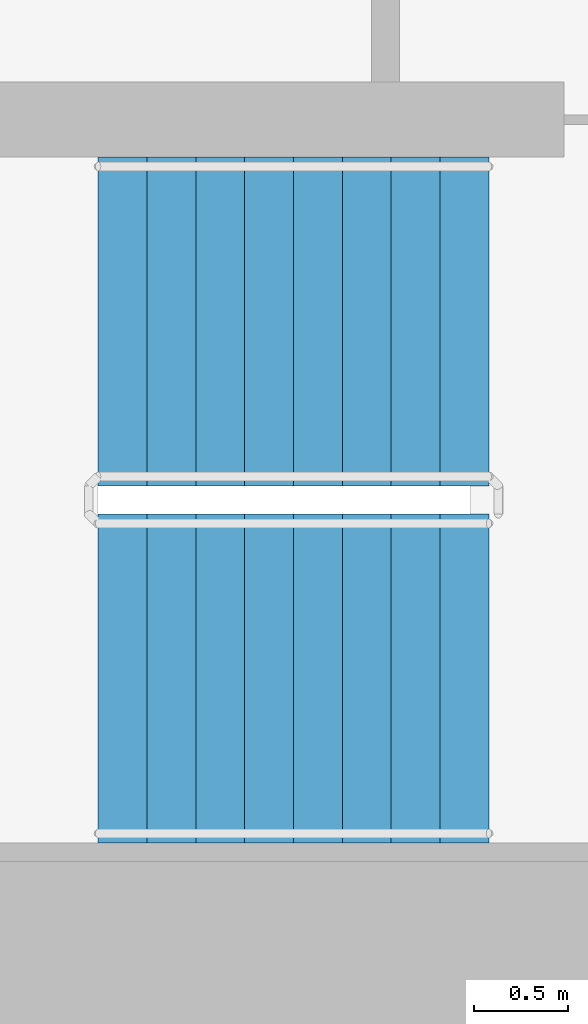
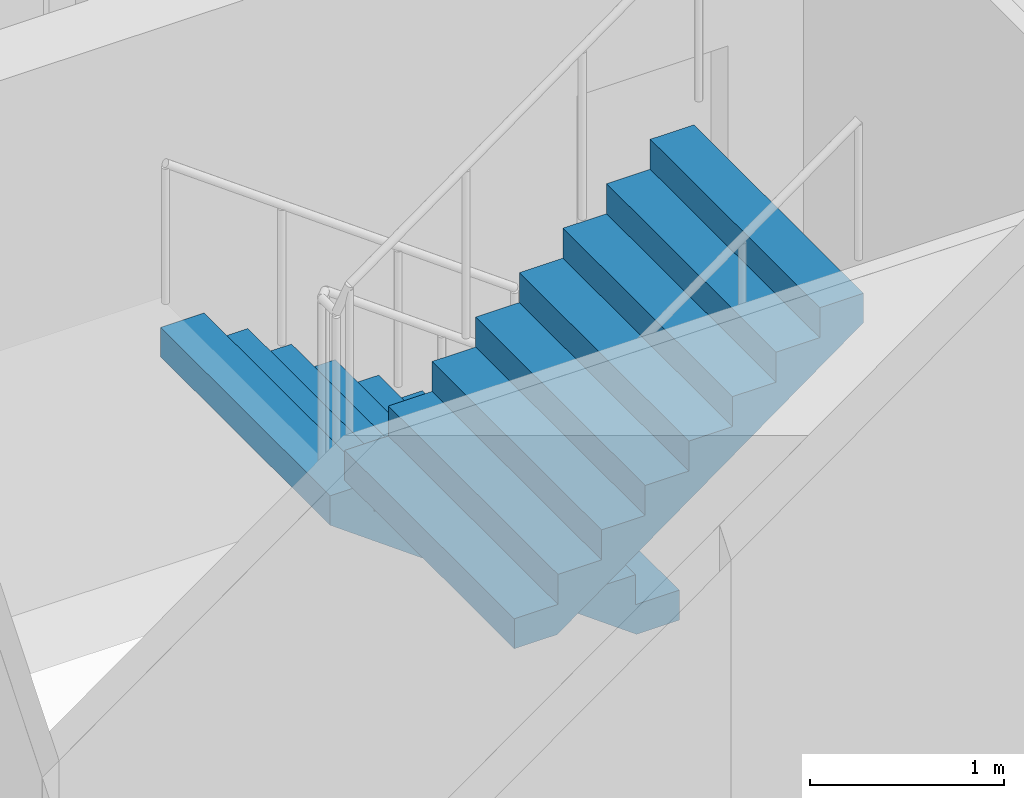
# One storey, part 32 of 40: 2 stair flights, 1 element without a shape of its own.
"""IFC4 building model written with IfcOpenShell, lengths in metres."""

from ifc_helpers import new_model, si_unit, direction, frame, origin, place, context, subcontext, project, spatial, faceted_brep, material, type_object, element, aggregate, save


model = new_model("IFC4")

# Units and contexts
model_context = context("Model", 3, precision=1e-05, world=origin(), true_north=direction((0.0, 1.0)))
body_context = subcontext(model_context, "Body", "Model", "MODEL_VIEW")
ifc_project = project(units=[si_unit("LENGTHUNIT", "METRE"), si_unit("AREAUNIT", "SQUARE_METRE"), si_unit("VOLUMEUNIT", "CUBIC_METRE"), si_unit("PLANEANGLEUNIT", "RADIAN"), si_unit("MASSUNIT", "GRAM", prefix="KILO")], contexts=[model_context])

# Site, building, storey
site_placement = place(None, origin())
site = spatial("IfcSite", under=ifc_project, at=site_placement, CompositionType="ELEMENT")
building_placement = place(site_placement, origin())
building = spatial("IfcBuilding", under=site, at=building_placement, Name="Ipe Terrace Towers", CompositionType="ELEMENT")
storey_placement = place(building_placement, frame((0.0, 0.0, 24.5)))
storey = spatial("IfcBuildingStorey", under=building, at=storey_placement, Name="L05", CompositionType="ELEMENT", Elevation=24.5)

# Stair, stair flights
ifc_material_1 = material(Name="Concrete C30/37", Category="concrete")
stair_type = type_object("IfcStairType", Name="Protected exit stair", PredefinedType="HALF_TURN_STAIR", material=ifc_material_1)
stair_placement = place(storey_placement, origin())
stair = element("IfcStair", 1, at=stair_placement, inside=storey, type_object=stair_type, Name="L05 Exit stair T1-C2", PredefinedType="HALF_TURN_STAIR")
ifc_material_2 = material(Name="Concrete C30/37", Category="concrete")
stair_flight_type = type_object("IfcStairFlightType", Name="Exit stair flight 1750", PredefinedType="STRAIGHT", material=ifc_material_2)
stair_flight_1_placement = place(storey_placement, frame((-45.699951171875, -2.77490234375, 0.0), z_axis=(0.0, 0.0, 1.0), x_axis=(-1.0, 0.0, 0.0)))
stair_flight_1 = element("IfcStairFlight", 2, at=stair_flight_1_placement, type_object=stair_flight_type, Name="T1-ST2 flight 1", NumberOfRisers=9, NumberOfTreads=8, PredefinedType="STRAIGHT", RiserHeight=0.188888889, TreadLength=0.26, context=body_context, shape_type="Brep", body=[
    faceted_brep([(0.255126953125, -0.875, 0.0), (2.080078125, -0.875, 1.325927734375), (2.080078125, -0.875, 1.51123046875), (1.820068359375, -0.875, 1.51123046875), (1.820068359375, -0.875, 1.322265625), (1.56005859375, -0.875, 1.322265625), (1.56005859375, -0.875, 1.13330078125), (1.300048828125, -0.875, 1.13330078125), (1.300048828125, -0.875, 0.9443359375), (1.0400390625, -0.875, 0.9443359375), (1.0400390625, -0.875, 0.755615234375), (0.780029296875, -0.875, 0.755615234375), (0.780029296875, -0.875, 0.566650390625), (0.52001953125, -0.875, 0.566650390625), (0.52001953125, -0.875, 0.377685546875), (0.260009765625, -0.875, 0.377685546875), (0.260009765625, -0.875, 0.18896484375), (0.0, -0.875, 0.18896484375), (0.0, -0.875, 0.0), (0.0, 0.875, 0.0), (0.0, 0.875, 0.18896484375), (0.260009765625, 0.875, 0.18896484375), (0.260009765625, 0.875, 0.377685546875), (0.52001953125, 0.875, 0.377685546875), (0.52001953125, 0.875, 0.566650390625), (0.780029296875, 0.875, 0.566650390625), (0.780029296875, 0.875, 0.755615234375), (1.0400390625, 0.875, 0.755615234375), (1.0400390625, 0.875, 0.9443359375), (1.300048828125, 0.875, 0.9443359375), (1.300048828125, 0.875, 1.13330078125), (1.56005859375, 0.875, 1.13330078125), (1.56005859375, 0.875, 1.322265625), (1.820068359375, 0.875, 1.322265625), (1.820068359375, 0.875, 1.51123046875), (2.080078125, 0.875, 1.51123046875), (2.080078125, 0.875, 1.325927734375), (0.255126953125, 0.875, 0.0), (0.0, -0.300048828125, 0.18896484375), (0.0, -0.1201171875, 0.18896484375), (0.0, -0.06005859375, 0.18896484375), (0.0, -0.030029296875, 0.18896484375), (0.0, -0.010009765625, 0.18896484375), (0.0, 0.0, 0.18896484375), (0.0, 0.010009765625, 0.18896484375), (0.0, 0.030029296875, 0.18896484375), (0.0, 0.06005859375, 0.18896484375), (0.0, 0.1201171875, 0.18896484375), (0.0, 0.300048828125, 0.18896484375), (0.0, 0.300048828125, 0.0), (0.0, 0.1201171875, 0.0), (0.0, 0.06005859375, 0.0), (0.0, 0.030029296875, 0.0), (0.0, 0.010009765625, 0.0), (0.0, 0.0, 0.0), (0.0, -0.010009765625, 0.0), (0.0, -0.030029296875, 0.0), (0.0, -0.06005859375, 0.0), (0.0, -0.1201171875, 0.0), (0.0, -0.300048828125, 0.0), (0.260009765625, -0.300048828125, 0.18896484375), (0.260009765625, -0.1201171875, 0.18896484375), (0.260009765625, -0.06005859375, 0.18896484375), (0.260009765625, -0.030029296875, 0.18896484375), (0.260009765625, -0.010009765625, 0.18896484375), (0.260009765625, 0.0, 0.18896484375), (0.260009765625, 0.010009765625, 0.18896484375), (0.260009765625, 0.030029296875, 0.18896484375), (0.260009765625, 0.06005859375, 0.18896484375), (0.260009765625, 0.1201171875, 0.18896484375), (0.260009765625, 0.300048828125, 0.18896484375), (0.260009765625, -0.300048828125, 0.377685546875), (0.260009765625, -0.1201171875, 0.377685546875), (0.260009765625, -0.06005859375, 0.377685546875), (0.260009765625, -0.030029296875, 0.377685546875), (0.260009765625, -0.010009765625, 0.377685546875), (0.260009765625, 0.0, 0.377685546875), (0.260009765625, 0.010009765625, 0.377685546875), (0.260009765625, 0.030029296875, 0.377685546875), (0.260009765625, 0.06005859375, 0.377685546875), (0.260009765625, 0.1201171875, 0.377685546875), (0.260009765625, 0.300048828125, 0.377685546875), (0.52001953125, -0.300048828125, 0.377685546875), (0.52001953125, -0.1201171875, 0.377685546875), (0.52001953125, -0.06005859375, 0.377685546875), (0.52001953125, -0.030029296875, 0.377685546875), (0.52001953125, -0.010009765625, 0.377685546875), (0.52001953125, 0.0, 0.377685546875), (0.52001953125, 0.010009765625, 0.377685546875), (0.52001953125, 0.030029296875, 0.377685546875), (0.52001953125, 0.06005859375, 0.377685546875), (0.52001953125, 0.1201171875, 0.377685546875), (0.52001953125, 0.300048828125, 0.377685546875), (0.52001953125, -0.300048828125, 0.566650390625), (0.52001953125, -0.1201171875, 0.566650390625), (0.52001953125, -0.06005859375, 0.566650390625), (0.52001953125, -0.030029296875, 0.566650390625), (0.52001953125, -0.010009765625, 0.566650390625), (0.52001953125, 0.0, 0.566650390625), (0.52001953125, 0.010009765625, 0.566650390625), (0.52001953125, 0.030029296875, 0.566650390625), (0.52001953125, 0.06005859375, 0.566650390625), (0.52001953125, 0.1201171875, 0.566650390625), (0.52001953125, 0.300048828125, 0.566650390625), (0.780029296875, -0.300048828125, 0.566650390625), (0.780029296875, -0.1201171875, 0.566650390625), (0.780029296875, -0.06005859375, 0.566650390625), (0.780029296875, -0.030029296875, 0.566650390625), (0.780029296875, -0.010009765625, 0.566650390625), (0.780029296875, 0.0, 0.566650390625), (0.780029296875, 0.010009765625, 0.566650390625), (0.780029296875, 0.030029296875, 0.566650390625), (0.780029296875, 0.06005859375, 0.566650390625), (0.780029296875, 0.1201171875, 0.566650390625), (0.780029296875, 0.300048828125, 0.566650390625), (0.780029296875, -0.300048828125, 0.755615234375), (0.780029296875, -0.1201171875, 0.755615234375), (0.780029296875, -0.06005859375, 0.755615234375), (0.780029296875, -0.030029296875, 0.755615234375), (0.780029296875, -0.010009765625, 0.755615234375), (0.780029296875, 0.0, 0.755615234375), (0.780029296875, 0.010009765625, 0.755615234375), (0.780029296875, 0.030029296875, 0.755615234375), (0.780029296875, 0.06005859375, 0.755615234375), (0.780029296875, 0.1201171875, 0.755615234375), (0.780029296875, 0.300048828125, 0.755615234375), (1.0400390625, -0.300048828125, 0.755615234375), (1.0400390625, -0.1201171875, 0.755615234375), (1.0400390625, -0.06005859375, 0.755615234375), (1.0400390625, -0.030029296875, 0.755615234375), (1.0400390625, -0.010009765625, 0.755615234375), (1.0400390625, 0.0, 0.755615234375), (1.0400390625, 0.010009765625, 0.755615234375), (1.0400390625, 0.030029296875, 0.755615234375), (1.0400390625, 0.06005859375, 0.755615234375), (1.0400390625, 0.1201171875, 0.755615234375), (1.0400390625, 0.300048828125, 0.755615234375), (1.0400390625, -0.300048828125, 0.9443359375), (1.0400390625, -0.1201171875, 0.9443359375), (1.0400390625, -0.06005859375, 0.9443359375), (1.0400390625, -0.030029296875, 0.9443359375), (1.0400390625, -0.010009765625, 0.9443359375), (1.0400390625, 0.0, 0.9443359375), (1.0400390625, 0.010009765625, 0.9443359375), (1.0400390625, 0.030029296875, 0.9443359375), (1.0400390625, 0.06005859375, 0.9443359375), (1.0400390625, 0.1201171875, 0.9443359375), (1.0400390625, 0.300048828125, 0.9443359375), (1.300048828125, -0.300048828125, 0.9443359375), (1.300048828125, -0.1201171875, 0.9443359375), (1.300048828125, -0.06005859375, 0.9443359375), (1.300048828125, -0.030029296875, 0.9443359375), (1.300048828125, -0.010009765625, 0.9443359375), (1.300048828125, 0.0, 0.9443359375), (1.300048828125, 0.010009765625, 0.9443359375), (1.300048828125, 0.030029296875, 0.9443359375), (1.300048828125, 0.06005859375, 0.9443359375), (1.300048828125, 0.1201171875, 0.9443359375), (1.300048828125, 0.300048828125, 0.9443359375), (1.300048828125, -0.300048828125, 1.13330078125), (1.300048828125, -0.1201171875, 1.13330078125), (1.300048828125, -0.06005859375, 1.13330078125), (1.300048828125, -0.030029296875, 1.13330078125), (1.300048828125, -0.010009765625, 1.13330078125), (1.300048828125, 0.0, 1.13330078125), (1.300048828125, 0.010009765625, 1.13330078125), (1.300048828125, 0.030029296875, 1.13330078125), (1.300048828125, 0.06005859375, 1.13330078125), (1.300048828125, 0.1201171875, 1.13330078125), (1.300048828125, 0.300048828125, 1.13330078125), (1.56005859375, -0.300048828125, 1.13330078125), (1.56005859375, -0.1201171875, 1.13330078125), (1.56005859375, -0.06005859375, 1.13330078125), (1.56005859375, -0.030029296875, 1.13330078125), (1.56005859375, -0.010009765625, 1.13330078125), (1.56005859375, 0.0, 1.13330078125), (1.56005859375, 0.010009765625, 1.13330078125), (1.56005859375, 0.030029296875, 1.13330078125), (1.56005859375, 0.06005859375, 1.13330078125), (1.56005859375, 0.1201171875, 1.13330078125), (1.56005859375, 0.300048828125, 1.13330078125), (1.56005859375, -0.300048828125, 1.322265625), (1.56005859375, -0.1201171875, 1.322265625), (1.56005859375, -0.06005859375, 1.322265625), (1.56005859375, -0.030029296875, 1.322265625), (1.56005859375, -0.010009765625, 1.322265625), (1.56005859375, 0.0, 1.322265625), (1.56005859375, 0.010009765625, 1.322265625), (1.56005859375, 0.030029296875, 1.322265625), (1.56005859375, 0.06005859375, 1.322265625), (1.56005859375, 0.1201171875, 1.322265625), (1.56005859375, 0.300048828125, 1.322265625), (1.820068359375, -0.300048828125, 1.322265625), (1.820068359375, -0.1201171875, 1.322265625), (1.820068359375, -0.06005859375, 1.322265625), (1.820068359375, -0.030029296875, 1.322265625), (1.820068359375, -0.010009765625, 1.322265625), (1.820068359375, 0.0, 1.322265625), (1.820068359375, 0.010009765625, 1.322265625), (1.820068359375, 0.030029296875, 1.322265625), (1.820068359375, 0.06005859375, 1.322265625), (1.820068359375, 0.1201171875, 1.322265625), (1.820068359375, 0.300048828125, 1.322265625), (1.820068359375, -0.300048828125, 1.51123046875), (1.820068359375, -0.1201171875, 1.51123046875), (1.820068359375, -0.06005859375, 1.51123046875), (1.820068359375, -0.030029296875, 1.51123046875), (1.820068359375, -0.010009765625, 1.51123046875), (1.820068359375, 0.0, 1.51123046875), (1.820068359375, 0.010009765625, 1.51123046875), (1.820068359375, 0.030029296875, 1.51123046875), (1.820068359375, 0.06005859375, 1.51123046875), (1.820068359375, 0.1201171875, 1.51123046875), (1.820068359375, 0.300048828125, 1.51123046875), (2.080078125, -0.300048828125, 1.51123046875), (2.080078125, -0.1201171875, 1.51123046875), (2.080078125, -0.06005859375, 1.51123046875), (2.080078125, -0.030029296875, 1.51123046875), (2.080078125, -0.010009765625, 1.51123046875), (2.080078125, 0.0, 1.51123046875), (2.080078125, 0.010009765625, 1.51123046875), (2.080078125, 0.030029296875, 1.51123046875), (2.080078125, 0.06005859375, 1.51123046875), (2.080078125, 0.1201171875, 1.51123046875), (2.080078125, 0.300048828125, 1.51123046875), (2.080078125, -0.300048828125, 1.325927734375), (2.080078125, -0.1201171875, 1.325927734375), (2.080078125, -0.06005859375, 1.325927734375), (2.080078125, -0.030029296875, 1.325927734375), (2.080078125, -0.010009765625, 1.325927734375), (2.080078125, 0.0, 1.325927734375), (2.080078125, 0.010009765625, 1.325927734375), (2.080078125, 0.030029296875, 1.325927734375), (2.080078125, 0.06005859375, 1.325927734375), (2.080078125, 0.1201171875, 1.325927734375), (2.080078125, 0.300048828125, 1.325927734375), (0.255126953125, -0.300048828125, 0.0), (0.255126953125, -0.1201171875, 0.0), (0.255126953125, -0.06005859375, 0.0), (0.255126953125, -0.030029296875, 0.0), (0.255126953125, -0.010009765625, 0.0), (0.255126953125, 0.0, 0.0), (0.255126953125, 0.010009765625, 0.0), (0.255126953125, 0.030029296875, 0.0), (0.255126953125, 0.06005859375, 0.0), (0.255126953125, 0.1201171875, 0.0), (0.255126953125, 0.300048828125, 0.0)], [[[0, 1, 2, 3, 4, 5, 6, 7, 8, 9, 10, 11, 12, 13, 14, 15, 16, 17, 18]], [[19, 20, 21, 22, 23, 24, 25, 26, 27, 28, 29, 30, 31, 32, 33, 34, 35, 36, 37]], [[17, 38, 39, 40, 41, 42, 43, 44, 45, 46, 47, 48, 20, 19, 49, 50, 51, 52, 53, 54, 55, 56, 57, 58, 59, 18]], [[16, 60, 61, 62, 63, 64, 65, 66, 67, 68, 69, 70, 21, 20, 48, 47, 46, 45, 44, 43, 42, 41, 40, 39, 38, 17]], [[15, 71, 72, 73, 74, 75, 76, 77, 78, 79, 80, 81, 22, 21, 70, 69, 68, 67, 66, 65, 64, 63, 62, 61, 60, 16]], [[14, 82, 83, 84, 85, 86, 87, 88, 89, 90, 91, 92, 23, 22, 81, 80, 79, 78, 77, 76, 75, 74, 73, 72, 71, 15]], [[13, 93, 94, 95, 96, 97, 98, 99, 100, 101, 102, 103, 24, 23, 92, 91, 90, 89, 88, 87, 86, 85, 84, 83, 82, 14]], [[12, 104, 105, 106, 107, 108, 109, 110, 111, 112, 113, 114, 25, 24, 103, 102, 101, 100, 99, 98, 97, 96, 95, 94, 93, 13]], [[11, 115, 116, 117, 118, 119, 120, 121, 122, 123, 124, 125, 26, 25, 114, 113, 112, 111, 110, 109, 108, 107, 106, 105, 104, 12]], [[10, 126, 127, 128, 129, 130, 131, 132, 133, 134, 135, 136, 27, 26, 125, 124, 123, 122, 121, 120, 119, 118, 117, 116, 115, 11]], [[9, 137, 138, 139, 140, 141, 142, 143, 144, 145, 146, 147, 28, 27, 136, 135, 134, 133, 132, 131, 130, 129, 128, 127, 126, 10]], [[8, 148, 149, 150, 151, 152, 153, 154, 155, 156, 157, 158, 29, 28, 147, 146, 145, 144, 143, 142, 141, 140, 139, 138, 137, 9]], [[7, 159, 160, 161, 162, 163, 164, 165, 166, 167, 168, 169, 30, 29, 158, 157, 156, 155, 154, 153, 152, 151, 150, 149, 148, 8]], [[6, 170, 171, 172, 173, 174, 175, 176, 177, 178, 179, 180, 31, 30, 169, 168, 167, 166, 165, 164, 163, 162, 161, 160, 159, 7]], [[5, 181, 182, 183, 184, 185, 186, 187, 188, 189, 190, 191, 32, 31, 180, 179, 178, 177, 176, 175, 174, 173, 172, 171, 170, 6]], [[4, 192, 193, 194, 195, 196, 197, 198, 199, 200, 201, 202, 33, 32, 191, 190, 189, 188, 187, 186, 185, 184, 183, 182, 181, 5]], [[3, 203, 204, 205, 206, 207, 208, 209, 210, 211, 212, 213, 34, 33, 202, 201, 200, 199, 198, 197, 196, 195, 194, 193, 192, 4]], [[2, 214, 215, 216, 217, 218, 219, 220, 221, 222, 223, 224, 35, 34, 213, 212, 211, 210, 209, 208, 207, 206, 205, 204, 203, 3]], [[1, 225, 226, 227, 228, 229, 230, 231, 232, 233, 234, 235, 36, 35, 224, 223, 222, 221, 220, 219, 218, 217, 216, 215, 214, 2]], [[0, 236, 237, 238, 239, 240, 241, 242, 243, 244, 245, 246, 37, 36, 235, 234, 233, 232, 231, 230, 229, 228, 227, 226, 225, 1]], [[18, 59, 58, 57, 56, 55, 54, 53, 52, 51, 50, 49, 19, 37, 246, 245, 244, 243, 242, 241, 240, 239, 238, 237, 236, 0]]]),
])
stair_flight_2_placement = place(storey_placement, frame((-47.780029296875, -4.675048828125, 1.699951171875), z_axis=(0.0, 0.0, 1.0), x_axis=(1.0, 0.0, 0.0)))
stair_flight_2 = element("IfcStairFlight", 3, at=stair_flight_2_placement, type_object=stair_flight_type, Name="T1-ST2 flight 2", NumberOfRisers=9, NumberOfTreads=8, PredefinedType="STRAIGHT", RiserHeight=0.188888889, TreadLength=0.26, context=body_context, shape_type="Brep", body=[
    faceted_brep([(0.255126953125, -0.875, 0.0), (2.080078125, -0.875, 1.325927734375), (2.080078125, -0.875, 1.51123046875), (1.820068359375, -0.875, 1.51123046875), (1.820068359375, -0.875, 1.322265625), (1.56005859375, -0.875, 1.322265625), (1.56005859375, -0.875, 1.13330078125), (1.300048828125, -0.875, 1.13330078125), (1.300048828125, -0.875, 0.9443359375), (1.0400390625, -0.875, 0.9443359375), (1.0400390625, -0.875, 0.755615234375), (0.780029296875, -0.875, 0.755615234375), (0.780029296875, -0.875, 0.566650390625), (0.52001953125, -0.875, 0.566650390625), (0.52001953125, -0.875, 0.377685546875), (0.260009765625, -0.875, 0.377685546875), (0.260009765625, -0.875, 0.18896484375), (0.0, -0.875, 0.18896484375), (0.0, -0.875, 0.0), (0.0, 0.875, 0.0), (0.0, 0.875, 0.18896484375), (0.260009765625, 0.875, 0.18896484375), (0.260009765625, 0.875, 0.377685546875), (0.52001953125, 0.875, 0.377685546875), (0.52001953125, 0.875, 0.566650390625), (0.780029296875, 0.875, 0.566650390625), (0.780029296875, 0.875, 0.755615234375), (1.0400390625, 0.875, 0.755615234375), (1.0400390625, 0.875, 0.9443359375), (1.300048828125, 0.875, 0.9443359375), (1.300048828125, 0.875, 1.13330078125), (1.56005859375, 0.875, 1.13330078125), (1.56005859375, 0.875, 1.322265625), (1.820068359375, 0.875, 1.322265625), (1.820068359375, 0.875, 1.51123046875), (2.080078125, 0.875, 1.51123046875), (2.080078125, 0.875, 1.325927734375), (0.255126953125, 0.875, 0.0), (0.0, -0.300048828125, 0.18896484375), (0.0, -0.1201171875, 0.18896484375), (0.0, -0.06005859375, 0.18896484375), (0.0, -0.030029296875, 0.18896484375), (0.0, -0.010009765625, 0.18896484375), (0.0, 0.0, 0.18896484375), (0.0, 0.010009765625, 0.18896484375), (0.0, 0.030029296875, 0.18896484375), (0.0, 0.06005859375, 0.18896484375), (0.0, 0.1201171875, 0.18896484375), (0.0, 0.300048828125, 0.18896484375), (0.0, 0.300048828125, 0.0), (0.0, 0.1201171875, 0.0), (0.0, 0.06005859375, 0.0), (0.0, 0.030029296875, 0.0), (0.0, 0.010009765625, 0.0), (0.0, 0.0, 0.0), (0.0, -0.010009765625, 0.0), (0.0, -0.030029296875, 0.0), (0.0, -0.06005859375, 0.0), (0.0, -0.1201171875, 0.0), (0.0, -0.300048828125, 0.0), (0.260009765625, -0.300048828125, 0.18896484375), (0.260009765625, -0.1201171875, 0.18896484375), (0.260009765625, -0.06005859375, 0.18896484375), (0.260009765625, -0.030029296875, 0.18896484375), (0.260009765625, -0.010009765625, 0.18896484375), (0.260009765625, 0.0, 0.18896484375), (0.260009765625, 0.010009765625, 0.18896484375), (0.260009765625, 0.030029296875, 0.18896484375), (0.260009765625, 0.06005859375, 0.18896484375), (0.260009765625, 0.1201171875, 0.18896484375), (0.260009765625, 0.300048828125, 0.18896484375), (0.260009765625, -0.300048828125, 0.377685546875), (0.260009765625, -0.1201171875, 0.377685546875), (0.260009765625, -0.06005859375, 0.377685546875), (0.260009765625, -0.030029296875, 0.377685546875), (0.260009765625, -0.010009765625, 0.377685546875), (0.260009765625, 0.0, 0.377685546875), (0.260009765625, 0.010009765625, 0.377685546875), (0.260009765625, 0.030029296875, 0.377685546875), (0.260009765625, 0.06005859375, 0.377685546875), (0.260009765625, 0.1201171875, 0.377685546875), (0.260009765625, 0.300048828125, 0.377685546875), (0.52001953125, -0.300048828125, 0.377685546875), (0.52001953125, -0.1201171875, 0.377685546875), (0.52001953125, -0.06005859375, 0.377685546875), (0.52001953125, -0.030029296875, 0.377685546875), (0.52001953125, -0.010009765625, 0.377685546875), (0.52001953125, 0.0, 0.377685546875), (0.52001953125, 0.010009765625, 0.377685546875), (0.52001953125, 0.030029296875, 0.377685546875), (0.52001953125, 0.06005859375, 0.377685546875), (0.52001953125, 0.1201171875, 0.377685546875), (0.52001953125, 0.300048828125, 0.377685546875), (0.52001953125, -0.300048828125, 0.566650390625), (0.52001953125, -0.1201171875, 0.566650390625), (0.52001953125, -0.06005859375, 0.566650390625), (0.52001953125, -0.030029296875, 0.566650390625), (0.52001953125, -0.010009765625, 0.566650390625), (0.52001953125, 0.0, 0.566650390625), (0.52001953125, 0.010009765625, 0.566650390625), (0.52001953125, 0.030029296875, 0.566650390625), (0.52001953125, 0.06005859375, 0.566650390625), (0.52001953125, 0.1201171875, 0.566650390625), (0.52001953125, 0.300048828125, 0.566650390625), (0.780029296875, -0.300048828125, 0.566650390625), (0.780029296875, -0.1201171875, 0.566650390625), (0.780029296875, -0.06005859375, 0.566650390625), (0.780029296875, -0.030029296875, 0.566650390625), (0.780029296875, -0.010009765625, 0.566650390625), (0.780029296875, 0.0, 0.566650390625), (0.780029296875, 0.010009765625, 0.566650390625), (0.780029296875, 0.030029296875, 0.566650390625), (0.780029296875, 0.06005859375, 0.566650390625), (0.780029296875, 0.1201171875, 0.566650390625), (0.780029296875, 0.300048828125, 0.566650390625), (0.780029296875, -0.300048828125, 0.755615234375), (0.780029296875, -0.1201171875, 0.755615234375), (0.780029296875, -0.06005859375, 0.755615234375), (0.780029296875, -0.030029296875, 0.755615234375), (0.780029296875, -0.010009765625, 0.755615234375), (0.780029296875, 0.0, 0.755615234375), (0.780029296875, 0.010009765625, 0.755615234375), (0.780029296875, 0.030029296875, 0.755615234375), (0.780029296875, 0.06005859375, 0.755615234375), (0.780029296875, 0.1201171875, 0.755615234375), (0.780029296875, 0.300048828125, 0.755615234375), (1.0400390625, -0.300048828125, 0.755615234375), (1.0400390625, -0.1201171875, 0.755615234375), (1.0400390625, -0.06005859375, 0.755615234375), (1.0400390625, -0.030029296875, 0.755615234375), (1.0400390625, -0.010009765625, 0.755615234375), (1.0400390625, 0.0, 0.755615234375), (1.0400390625, 0.010009765625, 0.755615234375), (1.0400390625, 0.030029296875, 0.755615234375), (1.0400390625, 0.06005859375, 0.755615234375), (1.0400390625, 0.1201171875, 0.755615234375), (1.0400390625, 0.300048828125, 0.755615234375), (1.0400390625, -0.300048828125, 0.9443359375), (1.0400390625, -0.1201171875, 0.9443359375), (1.0400390625, -0.06005859375, 0.9443359375), (1.0400390625, -0.030029296875, 0.9443359375), (1.0400390625, -0.010009765625, 0.9443359375), (1.0400390625, 0.0, 0.9443359375), (1.0400390625, 0.010009765625, 0.9443359375), (1.0400390625, 0.030029296875, 0.9443359375), (1.0400390625, 0.06005859375, 0.9443359375), (1.0400390625, 0.1201171875, 0.9443359375), (1.0400390625, 0.300048828125, 0.9443359375), (1.300048828125, -0.300048828125, 0.9443359375), (1.300048828125, -0.1201171875, 0.9443359375), (1.300048828125, -0.06005859375, 0.9443359375), (1.300048828125, -0.030029296875, 0.9443359375), (1.300048828125, -0.010009765625, 0.9443359375), (1.300048828125, 0.0, 0.9443359375), (1.300048828125, 0.010009765625, 0.9443359375), (1.300048828125, 0.030029296875, 0.9443359375), (1.300048828125, 0.06005859375, 0.9443359375), (1.300048828125, 0.1201171875, 0.9443359375), (1.300048828125, 0.300048828125, 0.9443359375), (1.300048828125, -0.300048828125, 1.13330078125), (1.300048828125, -0.1201171875, 1.13330078125), (1.300048828125, -0.06005859375, 1.13330078125), (1.300048828125, -0.030029296875, 1.13330078125), (1.300048828125, -0.010009765625, 1.13330078125), (1.300048828125, 0.0, 1.13330078125), (1.300048828125, 0.010009765625, 1.13330078125), (1.300048828125, 0.030029296875, 1.13330078125), (1.300048828125, 0.06005859375, 1.13330078125), (1.300048828125, 0.1201171875, 1.13330078125), (1.300048828125, 0.300048828125, 1.13330078125), (1.56005859375, -0.300048828125, 1.13330078125), (1.56005859375, -0.1201171875, 1.13330078125), (1.56005859375, -0.06005859375, 1.13330078125), (1.56005859375, -0.030029296875, 1.13330078125), (1.56005859375, -0.010009765625, 1.13330078125), (1.56005859375, 0.0, 1.13330078125), (1.56005859375, 0.010009765625, 1.13330078125), (1.56005859375, 0.030029296875, 1.13330078125), (1.56005859375, 0.06005859375, 1.13330078125), (1.56005859375, 0.1201171875, 1.13330078125), (1.56005859375, 0.300048828125, 1.13330078125), (1.56005859375, -0.300048828125, 1.322265625), (1.56005859375, -0.1201171875, 1.322265625), (1.56005859375, -0.06005859375, 1.322265625), (1.56005859375, -0.030029296875, 1.322265625), (1.56005859375, -0.010009765625, 1.322265625), (1.56005859375, 0.0, 1.322265625), (1.56005859375, 0.010009765625, 1.322265625), (1.56005859375, 0.030029296875, 1.322265625), (1.56005859375, 0.06005859375, 1.322265625), (1.56005859375, 0.1201171875, 1.322265625), (1.56005859375, 0.300048828125, 1.322265625), (1.820068359375, -0.300048828125, 1.322265625), (1.820068359375, -0.1201171875, 1.322265625), (1.820068359375, -0.06005859375, 1.322265625), (1.820068359375, -0.030029296875, 1.322265625), (1.820068359375, -0.010009765625, 1.322265625), (1.820068359375, 0.0, 1.322265625), (1.820068359375, 0.010009765625, 1.322265625), (1.820068359375, 0.030029296875, 1.322265625), (1.820068359375, 0.06005859375, 1.322265625), (1.820068359375, 0.1201171875, 1.322265625), (1.820068359375, 0.300048828125, 1.322265625), (1.820068359375, -0.300048828125, 1.51123046875), (1.820068359375, -0.1201171875, 1.51123046875), (1.820068359375, -0.06005859375, 1.51123046875), (1.820068359375, -0.030029296875, 1.51123046875), (1.820068359375, -0.010009765625, 1.51123046875), (1.820068359375, 0.0, 1.51123046875), (1.820068359375, 0.010009765625, 1.51123046875), (1.820068359375, 0.030029296875, 1.51123046875), (1.820068359375, 0.06005859375, 1.51123046875), (1.820068359375, 0.1201171875, 1.51123046875), (1.820068359375, 0.300048828125, 1.51123046875), (2.080078125, -0.300048828125, 1.51123046875), (2.080078125, -0.1201171875, 1.51123046875), (2.080078125, -0.06005859375, 1.51123046875), (2.080078125, -0.030029296875, 1.51123046875), (2.080078125, -0.010009765625, 1.51123046875), (2.080078125, 0.0, 1.51123046875), (2.080078125, 0.010009765625, 1.51123046875), (2.080078125, 0.030029296875, 1.51123046875), (2.080078125, 0.06005859375, 1.51123046875), (2.080078125, 0.1201171875, 1.51123046875), (2.080078125, 0.300048828125, 1.51123046875), (2.080078125, -0.300048828125, 1.325927734375), (2.080078125, -0.1201171875, 1.325927734375), (2.080078125, -0.06005859375, 1.325927734375), (2.080078125, -0.030029296875, 1.325927734375), (2.080078125, -0.010009765625, 1.325927734375), (2.080078125, 0.0, 1.325927734375), (2.080078125, 0.010009765625, 1.325927734375), (2.080078125, 0.030029296875, 1.325927734375), (2.080078125, 0.06005859375, 1.325927734375), (2.080078125, 0.1201171875, 1.325927734375), (2.080078125, 0.300048828125, 1.325927734375), (0.255126953125, -0.300048828125, 0.0), (0.255126953125, -0.1201171875, 0.0), (0.255126953125, -0.06005859375, 0.0), (0.255126953125, -0.030029296875, 0.0), (0.255126953125, -0.010009765625, 0.0), (0.255126953125, 0.0, 0.0), (0.255126953125, 0.010009765625, 0.0), (0.255126953125, 0.030029296875, 0.0), (0.255126953125, 0.06005859375, 0.0), (0.255126953125, 0.1201171875, 0.0), (0.255126953125, 0.300048828125, 0.0)], [[[0, 1, 2, 3, 4, 5, 6, 7, 8, 9, 10, 11, 12, 13, 14, 15, 16, 17, 18]], [[19, 20, 21, 22, 23, 24, 25, 26, 27, 28, 29, 30, 31, 32, 33, 34, 35, 36, 37]], [[17, 38, 39, 40, 41, 42, 43, 44, 45, 46, 47, 48, 20, 19, 49, 50, 51, 52, 53, 54, 55, 56, 57, 58, 59, 18]], [[16, 60, 61, 62, 63, 64, 65, 66, 67, 68, 69, 70, 21, 20, 48, 47, 46, 45, 44, 43, 42, 41, 40, 39, 38, 17]], [[15, 71, 72, 73, 74, 75, 76, 77, 78, 79, 80, 81, 22, 21, 70, 69, 68, 67, 66, 65, 64, 63, 62, 61, 60, 16]], [[14, 82, 83, 84, 85, 86, 87, 88, 89, 90, 91, 92, 23, 22, 81, 80, 79, 78, 77, 76, 75, 74, 73, 72, 71, 15]], [[13, 93, 94, 95, 96, 97, 98, 99, 100, 101, 102, 103, 24, 23, 92, 91, 90, 89, 88, 87, 86, 85, 84, 83, 82, 14]], [[12, 104, 105, 106, 107, 108, 109, 110, 111, 112, 113, 114, 25, 24, 103, 102, 101, 100, 99, 98, 97, 96, 95, 94, 93, 13]], [[11, 115, 116, 117, 118, 119, 120, 121, 122, 123, 124, 125, 26, 25, 114, 113, 112, 111, 110, 109, 108, 107, 106, 105, 104, 12]], [[10, 126, 127, 128, 129, 130, 131, 132, 133, 134, 135, 136, 27, 26, 125, 124, 123, 122, 121, 120, 119, 118, 117, 116, 115, 11]], [[9, 137, 138, 139, 140, 141, 142, 143, 144, 145, 146, 147, 28, 27, 136, 135, 134, 133, 132, 131, 130, 129, 128, 127, 126, 10]], [[8, 148, 149, 150, 151, 152, 153, 154, 155, 156, 157, 158, 29, 28, 147, 146, 145, 144, 143, 142, 141, 140, 139, 138, 137, 9]], [[7, 159, 160, 161, 162, 163, 164, 165, 166, 167, 168, 169, 30, 29, 158, 157, 156, 155, 154, 153, 152, 151, 150, 149, 148, 8]], [[6, 170, 171, 172, 173, 174, 175, 176, 177, 178, 179, 180, 31, 30, 169, 168, 167, 166, 165, 164, 163, 162, 161, 160, 159, 7]], [[5, 181, 182, 183, 184, 185, 186, 187, 188, 189, 190, 191, 32, 31, 180, 179, 178, 177, 176, 175, 174, 173, 172, 171, 170, 6]], [[4, 192, 193, 194, 195, 196, 197, 198, 199, 200, 201, 202, 33, 32, 191, 190, 189, 188, 187, 186, 185, 184, 183, 182, 181, 5]], [[3, 203, 204, 205, 206, 207, 208, 209, 210, 211, 212, 213, 34, 33, 202, 201, 200, 199, 198, 197, 196, 195, 194, 193, 192, 4]], [[2, 214, 215, 216, 217, 218, 219, 220, 221, 222, 223, 224, 35, 34, 213, 212, 211, 210, 209, 208, 207, 206, 205, 204, 203, 3]], [[1, 225, 226, 227, 228, 229, 230, 231, 232, 233, 234, 235, 36, 35, 224, 223, 222, 221, 220, 219, 218, 217, 216, 215, 214, 2]], [[0, 236, 237, 238, 239, 240, 241, 242, 243, 244, 245, 246, 37, 36, 235, 234, 233, 232, 231, 230, 229, 228, 227, 226, 225, 1]], [[18, 59, 58, 57, 56, 55, 54, 53, 52, 51, 50, 49, 19, 37, 246, 245, 244, 243, 242, 241, 240, 239, 238, 237, 236, 0]]]),
])
aggregate(stair, [stair_flight_1, stair_flight_2])

save(model, "model.ifc")
